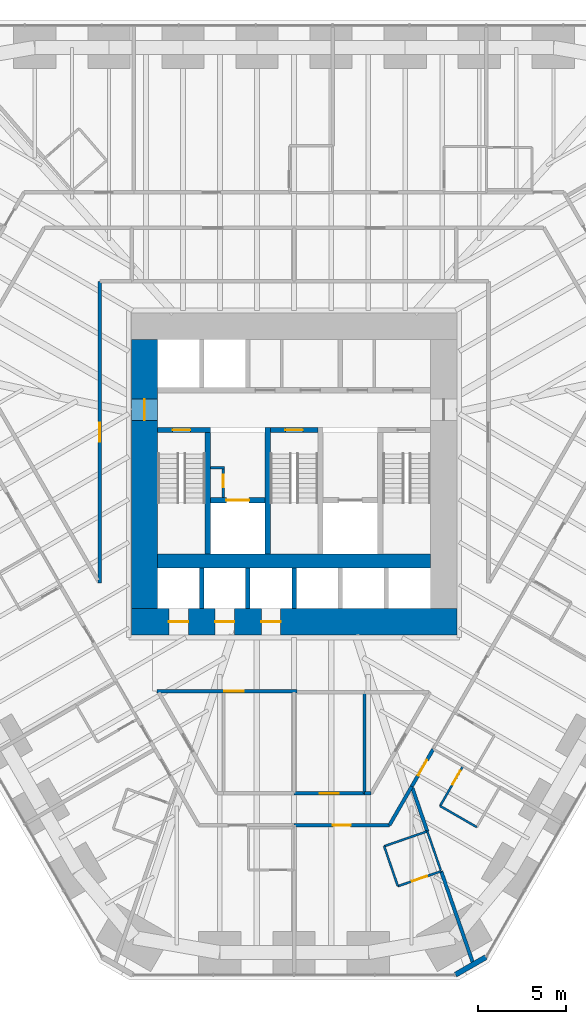
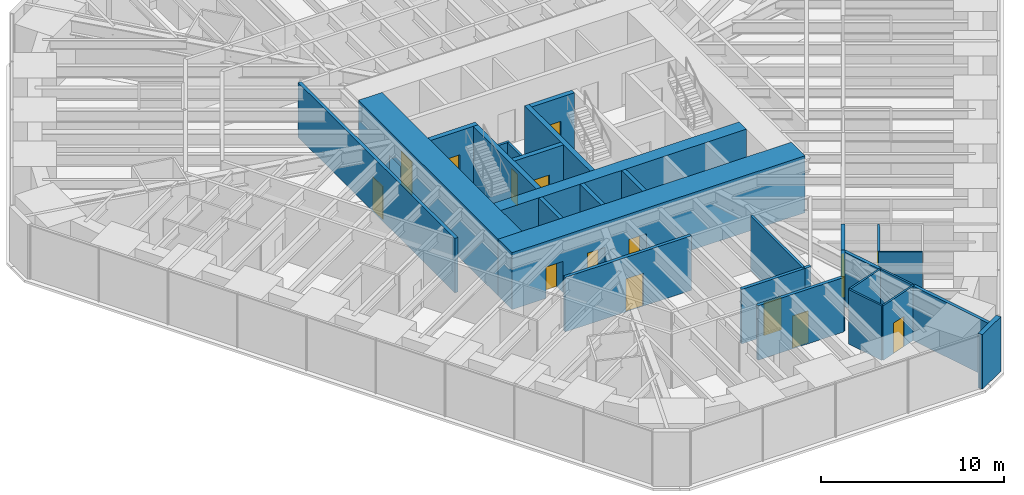
# One storey, part 12 of 17: 30 walls, 15 doors, 15 openings.
"""IFC4 building model written with IfcOpenShell, lengths in metres."""

from ifc_helpers import new_model, si_unit, direction, frame, frame_2d, origin, place, context, subcontext, project, spatial, rectangle, extrude, material, layer, layer_set, type_object, element, fill, save


model = new_model("IFC4")

# Units and contexts
model_context = context("Model", 3, precision=1e-05, world=origin(), true_north=direction((0.0, 1.0)))
body_context = subcontext(model_context, "Body", "Model", "MODEL_VIEW")
ifc_project = project(units=[si_unit("LENGTHUNIT", "METRE"), si_unit("AREAUNIT", "SQUARE_METRE"), si_unit("VOLUMEUNIT", "CUBIC_METRE"), si_unit("PLANEANGLEUNIT", "RADIAN"), si_unit("MASSUNIT", "GRAM", prefix="KILO")], contexts=[model_context])

# Site, building, storey
site_placement = place(None, origin())
site = spatial("IfcSite", under=ifc_project, at=site_placement, CompositionType="ELEMENT")
building_placement = place(site_placement, origin())
building = spatial("IfcBuilding", under=site, at=building_placement, Name="Sandreach Pilgrim Tower", CompositionType="ELEMENT")
storey_placement = place(building_placement, frame((0.0, 0.0, 53.39990234375)))
storey = spatial("IfcBuildingStorey", under=building, at=storey_placement, Name="L12", CompositionType="ELEMENT", Elevation=53.39990234375)

# Walls
ifc_material_1 = material(Name="Gypsum board on steel studs", Category="steel")
ifc_layer_1 = layer(ifc_material_1, 0.14990234375)
ifc_layer_set_1 = layer_set([ifc_layer_1], Name="Back of house wall 150")
wall_type_1 = type_object("IfcWallType", Name="Back of house wall 150", PredefinedType="PARTITIONING", material=ifc_layer_set_1)
wall_1_placement = place(storey_placement, frame((4.0, -13.949951171875, 0.0), z_axis=(0.0, 0.0, 1.0), x_axis=(0.0, -1.0, 0.0)))
element("IfcWall", 1, at=wall_1_placement, inside=storey, type_object=wall_type_1, Name="Back of house wall L12-089", PredefinedType="PARTITIONING", context=body_context, shape_type="SweptSolid", body=[
    extrude(rectangle(XDim=5.760009765625, YDim=0.14990234375, at=frame_2d((2.8798828125, 0.0))), origin(), (0.0, 0.0, 1.0), 3.64013671875),
])
ifc_material_2 = material(Name="Moisture-resistant gypsum board on steel studs", Category="steel")
ifc_layer_2 = layer(ifc_material_2, 0.1201171875)
ifc_layer_set_2 = layer_set([ifc_layer_2], Name="Bathroom partition 120")
wall_type_2 = type_object("IfcWallType", Name="Bathroom partition 120", PredefinedType="PARTITIONING", material=ifc_layer_set_2)
wall_2_placement = place(storey_placement, frame((5.1201171875, -22.7099609375, 0.0), z_axis=(0.0, 0.0, 1.0), x_axis=(0.324880771143, -0.945754981241, 0.0)))
element("IfcWall", 2, at=wall_2_placement, inside=storey, type_object=wall_type_2, Name="Bathroom partition L12-092", PredefinedType="PARTITIONING", context=body_context, shape_type="SweptSolid", body=[
    extrude(rectangle(XDim=2.400146484375, YDim=0.1201171875, at=frame_2d((1.2001953125, 0.0))), origin(), (0.0, 0.0, 1.0), 3.64013671875),
])

# Wall, opening, door
wall_3_placement = place(storey_placement, frame((5.89990234375, -24.97998046875, 0.0), z_axis=(0.0, 0.0, 1.0), x_axis=(0.945165466094, 0.326591857987, 0.0)))
wall_3 = element("IfcWall", 3, at=wall_3_placement, inside=storey, type_object=wall_type_2, Name="Bathroom partition L12-094", PredefinedType="PARTITIONING", context=body_context, shape_type="SweptSolid", body=[
    extrude(rectangle(XDim=2.60302734375, YDim=0.1201171875, at=frame_2d((1.301513671875, 0.0))), origin(), (0.0, 0.0, 1.0), 3.64013671875),
])
opening_1_placement = place(wall_3_placement, frame((0.85009765625, 0.0, 0.0)))
opening_1 = element("IfcOpeningElement", 4, at=opening_1_placement, cuts=wall_3, Name="Opening D09-12B", PredefinedType="OPENING", context=body_context, shape_type="SweptSolid", body=[
    extrude(rectangle(XDim=0.89990234375, YDim=2.030029296875, at=frame_2d((0.449951171875, 1.01513671875))), frame((0.0, 0.06005859375, 0.0), z_axis=(0.0, -1.0, 0.0), x_axis=(1.0, 0.0, 0.0)), (0.0, 0.0, 1.0), 0.1201171875),
])
ifc_material_3 = material(Name="Timber door, steel frame", Category="steel")
door_type_1 = type_object("IfcDoorType", Name="Bathroom door", OperationType="SINGLE_SWING_LEFT", PredefinedType="DOOR", material=ifc_material_3)
door_1_placement = place(opening_1_placement, origin())
door_1 = element("IfcDoor", 5, at=door_1_placement, inside=storey, type_object=door_type_1, Name="Door 1212B", OperationType="SINGLE_SWING_LEFT", OverallHeight=2.030029296875, OverallWidth=0.89990234375, PredefinedType="DOOR", context=body_context, shape_type="SweptSolid", body=[
    extrude(rectangle(XDim=0.89990234375, YDim=2.030029296875, at=frame_2d((0.449951171875, 1.01513671875))), frame((0.0, 0.02490234375, 0.0), z_axis=(0.0, -1.0, 0.0), x_axis=(1.0, 0.0, 0.0)), (0.0, 0.0, 1.0), 0.050048828125),
])
fill(opening_1, door_1)

# Walls
wall_4_placement = place(storey_placement, frame((7.570068359375, -21.860107421875, 0.0), z_axis=(0.0, 0.0, 1.0), x_axis=(-0.944782191137, -0.327698964463, 0.0)))
element("IfcWall", 6, at=wall_4_placement, inside=storey, type_object=wall_type_2, Name="Bathroom partition L12-097", PredefinedType="PARTITIONING", context=body_context, shape_type="SweptSolid", body=[
    extrude(rectangle(XDim=2.593505859375, YDim=0.1201171875, at=frame_2d((1.296875, 0.0))), origin(), (0.0, 0.0, 1.0), 3.64013671875),
])
wall_5_placement = place(storey_placement, frame((7.570068359375, -21.860107421875, 0.0), z_axis=(0.0, 0.0, 1.0), x_axis=(0.327706459026, -0.944779591605, 0.0)))
element("IfcWall", 7, at=wall_5_placement, inside=storey, type_object=wall_type_2, Name="Bathroom partition L12-098", PredefinedType="PARTITIONING", context=body_context, shape_type="SweptSolid", body=[
    extrude(rectangle(XDim=2.349609375, YDim=0.1201171875, at=frame_2d((1.1748046875, 0.0))), origin(), (0.0, 0.0, 1.0), 3.64013671875),
])
wall_6_placement = place(storey_placement, frame((8.300048828125, -20.419921875, 0.0), z_axis=(0.0, 0.0, 1.0), x_axis=(0.866177122335, -0.499737123639, 0.0)))
element("IfcWall", 8, at=wall_6_placement, inside=storey, type_object=wall_type_2, Name="Bathroom partition L12-102", PredefinedType="PARTITIONING", context=body_context, shape_type="SweptSolid", body=[
    extrude(rectangle(XDim=2.401123046875, YDim=0.1201171875, at=frame_2d((1.20068359375, 0.0))), origin(), (0.0, 0.0, 1.0), 3.64013671875),
])

# Wall, opening, door
wall_7_placement = place(storey_placement, frame((9.60009765625, -18.159912109375, 0.0), z_axis=(0.0, 0.0, 1.0), x_axis=(-0.498627694264, -0.866816256489, 0.0)))
wall_7 = element("IfcWall", 9, at=wall_7_placement, inside=storey, type_object=wall_type_2, Name="Bathroom partition L12-110", PredefinedType="PARTITIONING", context=body_context, shape_type="SweptSolid", body=[
    extrude(rectangle(XDim=2.607177734375, YDim=0.1201171875, at=frame_2d((1.3037109375, 0.0))), origin(), (0.0, 0.0, 1.0), 3.64013671875),
])
opening_2_placement = place(wall_7_placement, frame((0.300048828125, 0.0, 0.0)))
opening_2 = element("IfcOpeningElement", 10, at=opening_2_placement, cuts=wall_7, Name="Opening D09-11B", PredefinedType="OPENING", context=body_context, shape_type="SweptSolid", body=[
    extrude(rectangle(XDim=0.89990234375, YDim=2.030029296875, at=frame_2d((0.449951171875, 1.01513671875))), frame((0.0, 0.06005859375, 0.0), z_axis=(0.0, -1.0, 0.0), x_axis=(1.0, 0.0, 0.0)), (0.0, 0.0, 1.0), 0.1201171875),
])
door_2_placement = place(opening_2_placement, origin())
door_2 = element("IfcDoor", 11, at=door_2_placement, inside=storey, type_object=door_type_1, Name="Door 1211B", OperationType="SINGLE_SWING_LEFT", OverallHeight=2.030029296875, OverallWidth=0.89990234375, PredefinedType="DOOR", context=body_context, shape_type="SweptSolid", body=[
    extrude(rectangle(XDim=0.89990234375, YDim=2.030029296875, at=frame_2d((0.449951171875, 1.01513671875))), frame((0.0, 0.02490234375, 0.0), z_axis=(0.0, -1.0, 0.0), x_axis=(1.0, 0.0, 0.0)), (0.0, 0.0, 1.0), 0.050048828125),
])
fill(opening_2, door_2)

# Walls
ifc_material_4 = material(Name="Concrete 10000 psi", Category="concrete")
ifc_layer_3 = layer(ifc_material_4, 0.300048828125)
ifc_layer_set_3 = layer_set([ifc_layer_3], Name="Core inner wall 300")
wall_type_3 = type_object("IfcWallType", Name="Core inner wall 300", PredefinedType="SHEAR", material=ifc_layer_set_3)
for number, where, z_axis, x_axis, name in (
    (12, (-4.89990234375, -6.10009765625, 0.0), (0.0, 0.0, 1.0), (0.0, 1.0, 0.0), "Core wall I0 L12"),
    (13, (-1.5, -6.10009765625, 0.0), (0.0, 0.0, 1.0), (0.0, 1.0, 0.0), "Core wall I1 L12"),
):
    element("IfcWall", number, at=place(storey_placement, frame(where, z_axis=z_axis, x_axis=x_axis)), inside=storey, type_object=wall_type_3, Name=name, PredefinedType="SHEAR", context=body_context, shape_type="SweptSolid", body=[
        extrude(rectangle(XDim=7.2001953125, YDim=0.300048828125, at=frame_2d((3.60009765625, 0.0))), origin(), (0.0, 0.0, 1.0), 3.800048828125),
    ])

# Wall, opening, door
wall_8_placement = place(storey_placement, frame((-7.75, 0.949951171875, 0.0), z_axis=(0.0, 0.0, 1.0), x_axis=(1.0, 0.0, 0.0)))
wall_8 = element("IfcWall", 14, at=wall_8_placement, inside=storey, type_object=wall_type_3, Name="Core wall SN1 L12", PredefinedType="SHEAR", context=body_context, shape_type="SweptSolid", body=[
    extrude(rectangle(XDim=3.0, YDim=0.300048828125, at=frame_2d((1.5, 0.0))), origin(), (0.0, 0.0, 1.0), 3.800048828125),
])
opening_3_placement = place(wall_8_placement, frame((0.85009765625, 0.0, 0.0)))
opening_3 = element("IfcOpeningElement", 15, at=opening_3_placement, cuts=wall_8, Name="Opening D10S-ST1", PredefinedType="OPENING", context=body_context, shape_type="SweptSolid", body=[
    extrude(rectangle(XDim=1.0, YDim=2.199951171875, at=frame_2d((0.5, 1.10009765625))), frame((0.0, 0.14990234375, 0.0), z_axis=(0.0, -1.0, 0.0), x_axis=(1.0, 0.0, 0.0)), (0.0, 0.0, 1.0), 0.300048828125),
])
ifc_material_5 = material(Name="Steel door and frame", Category="steel")
door_type_2 = type_object("IfcDoorType", Name="Stair door", OperationType="SINGLE_SWING_LEFT", PredefinedType="DOOR", material=ifc_material_5)
door_3_placement = place(opening_3_placement, origin())
door_3 = element("IfcDoor", 16, at=door_3_placement, inside=storey, type_object=door_type_2, Name="Stair door ST1 L12", OperationType="SINGLE_SWING_LEFT", OverallHeight=2.199951171875, OverallWidth=1.0, PredefinedType="DOOR", context=body_context, shape_type="SweptSolid", body=[
    extrude(rectangle(XDim=1.0, YDim=2.199951171875, at=frame_2d((0.5, 1.10009765625))), frame((0.0, 0.02490234375, 0.0), z_axis=(0.0, -1.0, 0.0), x_axis=(1.0, 0.0, 0.0)), (0.0, 0.0, 1.0), 0.050048828125),
])
fill(opening_3, door_3)

wall_9_placement = place(storey_placement, frame((-1.35009765625, 0.949951171875, 0.0), z_axis=(0.0, 0.0, 1.0), x_axis=(1.0, 0.0, 0.0)))
wall_9 = element("IfcWall", 17, at=wall_9_placement, inside=storey, type_object=wall_type_3, Name="Core wall SN3 L12", PredefinedType="SHEAR", context=body_context, shape_type="SweptSolid", body=[
    extrude(rectangle(XDim=2.7001953125, YDim=0.300048828125, at=frame_2d((1.35009765625, 0.0))), origin(), (0.0, 0.0, 1.0), 3.800048828125),
])
opening_4_placement = place(wall_9_placement, frame((0.85009765625, 0.0, 0.0)))
opening_4 = element("IfcOpeningElement", 18, at=opening_4_placement, cuts=wall_9, Name="Opening D10S-ST3", PredefinedType="OPENING", context=body_context, shape_type="SweptSolid", body=[
    extrude(rectangle(XDim=1.0, YDim=2.199951171875, at=frame_2d((0.5, 1.10009765625))), frame((0.0, 0.14990234375, 0.0), z_axis=(0.0, -1.0, 0.0), x_axis=(1.0, 0.0, 0.0)), (0.0, 0.0, 1.0), 0.300048828125),
])
door_4_placement = place(opening_4_placement, origin())
door_4 = element("IfcDoor", 19, at=door_4_placement, inside=storey, type_object=door_type_2, Name="Stair door ST3 L12", OperationType="SINGLE_SWING_LEFT", OverallHeight=2.199951171875, OverallWidth=1.0, PredefinedType="DOOR", context=body_context, shape_type="SweptSolid", body=[
    extrude(rectangle(XDim=1.0, YDim=2.199951171875, at=frame_2d((0.5, 1.10009765625))), frame((0.0, 0.02490234375, 0.0), z_axis=(0.0, -1.0, 0.0), x_axis=(1.0, 0.0, 0.0)), (0.0, 0.0, 1.0), 0.050048828125),
])
fill(opening_4, door_4)

wall_10_placement = place(storey_placement, frame((-4.75, -3.050048828125, 0.0), z_axis=(0.0, 0.0, 1.0), x_axis=(1.0, 0.0, 0.0)))
wall_10 = element("IfcWall", 20, at=wall_10_placement, inside=storey, type_object=wall_type_3, Name="Core wall FL1 L12", PredefinedType="SHEAR", context=body_context, shape_type="SweptSolid", body=[
    extrude(rectangle(XDim=3.10009765625, YDim=0.300048828125, at=frame_2d((1.550048828125, 0.0))), origin(), (0.0, 0.0, 1.0), 3.800048828125),
])
opening_5_placement = place(wall_10_placement, frame((0.89990234375, 0.0, 0.0)))
opening_5 = element("IfcOpeningElement", 21, at=opening_5_placement, cuts=wall_10, Name="Opening LD13", PredefinedType="OPENING", context=body_context, shape_type="SweptSolid", body=[
    extrude(rectangle(XDim=1.300048828125, YDim=2.10009765625, at=frame_2d((0.64990234375, 1.050048828125))), frame((0.0, 0.14990234375, 0.0), z_axis=(0.0, -1.0, 0.0), x_axis=(1.0, 0.0, 0.0)), (0.0, 0.0, 1.0), 0.300048828125),
])
ifc_material_6 = material(Name="Steel door and frame", Category="steel")
door_type_3 = type_object("IfcDoorType", Name="Fire service lift landing door", OperationType="DOUBLE_DOOR_SLIDING", PredefinedType="DOOR", material=ifc_material_6)
door_5_placement = place(opening_5_placement, origin())
door_5 = element("IfcDoor", 22, at=door_5_placement, inside=storey, type_object=door_type_3, Name="Lift landing door FS1 L12", OperationType="DOUBLE_DOOR_SLIDING", OverallHeight=2.10009765625, OverallWidth=1.300048828125, PredefinedType="DOOR", context=body_context, shape_type="SweptSolid", body=[
    extrude(rectangle(XDim=1.300048828125, YDim=2.10009765625, at=frame_2d((0.64990234375, 1.050048828125))), frame((0.0, 0.02490234375, 0.0), z_axis=(0.0, -1.0, 0.0), x_axis=(1.0, 0.0, 0.0)), (0.0, 0.0, 1.0), 0.050048828125),
])
fill(opening_5, door_5)

# Wall
ifc_material_7 = material(Name="Concrete 10000 psi", Category="concrete")
ifc_layer_4 = layer(ifc_material_7, 0.800048828125)
ifc_layer_set_4 = layer_set([ifc_layer_4], Name="Core mid wall 800")
wall_type_4 = type_object("IfcWallType", Name="Core mid wall 800", PredefinedType="SHEAR", material=ifc_layer_set_4)
wall_11_placement = place(storey_placement, frame((-7.75, -6.5, 0.0), z_axis=(0.0, 0.0, 1.0), x_axis=(1.0, 0.0, 0.0)))
element("IfcWall", 23, at=wall_11_placement, inside=storey, type_object=wall_type_4, Name="Core wall M L12", PredefinedType="SHEAR", context=body_context, shape_type="SweptSolid", body=[
    extrude(rectangle(XDim=15.5, YDim=0.800048828125, at=frame_2d((7.75, 0.0))), origin(), (0.0, 0.0, 1.0), 3.800048828125),
])

# Wall, openings, doors
ifc_material_8 = material(Name="Concrete 10000 psi", Category="concrete")
ifc_layer_5 = layer(ifc_material_8, 1.5)
ifc_layer_set_5 = layer_set([ifc_layer_5], Name="Core wall 1500")
wall_type_5 = type_object("IfcWallType", Name="Core wall 1500", PredefinedType="SHEAR", material=ifc_layer_set_5)
wall_12_placement = place(storey_placement, frame((-9.25, -9.949951171875, 0.0), z_axis=(0.0, 0.0, 1.0), x_axis=(1.0, 0.0, 0.0)))
wall_12 = element("IfcWall", 24, at=wall_12_placement, inside=storey, type_object=wall_type_5, Name="Core wall S L12", PredefinedType="SHEAR", context=body_context, shape_type="SweptSolid", body=[
    extrude(rectangle(XDim=18.5, YDim=1.5, at=frame_2d((9.25, 0.0))), origin(), (0.0, 0.0, 1.0), 3.800048828125),
])
opening_6_placement = place(wall_12_placement, frame((2.137451171875, 0.0, 0.0)))
opening_6 = element("IfcOpeningElement", 25, at=opening_6_placement, cuts=wall_12, Name="Opening LD11", PredefinedType="OPENING", context=body_context, shape_type="SweptSolid", body=[
    extrude(rectangle(XDim=1.10009765625, YDim=2.10009765625, at=frame_2d((0.550048828125, 1.050048828125))), frame((0.0, 0.75, 0.0), z_axis=(0.0, -1.0, 0.0), x_axis=(1.0, 0.0, 0.0)), (0.0, 0.0, 1.0), 1.5),
])
opening_7_placement = place(wall_12_placement, frame((4.762451171875, 0.0, 0.0)))
opening_7 = element("IfcOpeningElement", 26, at=opening_7_placement, cuts=wall_12, Name="Opening LD11", PredefinedType="OPENING", context=body_context, shape_type="SweptSolid", body=[
    extrude(rectangle(XDim=1.10009765625, YDim=2.10009765625, at=frame_2d((0.550048828125, 1.050048828125))), frame((0.0, 0.75, 0.0), z_axis=(0.0, -1.0, 0.0), x_axis=(1.0, 0.0, 0.0)), (0.0, 0.0, 1.0), 1.5),
])
opening_8_placement = place(wall_12_placement, frame((7.387451171875, 0.0, 0.0)))
opening_8 = element("IfcOpeningElement", 27, at=opening_8_placement, cuts=wall_12, Name="Opening LD11", PredefinedType="OPENING", context=body_context, shape_type="SweptSolid", body=[
    extrude(rectangle(XDim=1.10009765625, YDim=2.10009765625, at=frame_2d((0.550048828125, 1.050048828125))), frame((0.0, 0.75, 0.0), z_axis=(0.0, -1.0, 0.0), x_axis=(1.0, 0.0, 0.0)), (0.0, 0.0, 1.0), 1.5),
])
ifc_material_9 = material(Name="Steel door and frame", Category="steel")
door_type_4 = type_object("IfcDoorType", Name="Lift landing door", OperationType="DOUBLE_DOOR_SLIDING", PredefinedType="DOOR", material=ifc_material_9)
door_6_placement = place(opening_6_placement, origin())
door_6 = element("IfcDoor", 28, at=door_6_placement, inside=storey, type_object=door_type_4, Name="Lift landing door Z1A L12", OperationType="DOUBLE_DOOR_SLIDING", OverallHeight=2.10009765625, OverallWidth=1.10009765625, PredefinedType="DOOR", context=body_context, shape_type="SweptSolid", body=[
    extrude(rectangle(XDim=1.10009765625, YDim=2.10009765625, at=frame_2d((0.550048828125, 1.050048828125))), frame((0.0, 0.02490234375, 0.0), z_axis=(0.0, -1.0, 0.0), x_axis=(1.0, 0.0, 0.0)), (0.0, 0.0, 1.0), 0.050048828125),
])
fill(opening_6, door_6)
door_7_placement = place(opening_7_placement, origin())
door_7 = element("IfcDoor", 29, at=door_7_placement, inside=storey, type_object=door_type_4, Name="Lift landing door Z1B L12", OperationType="DOUBLE_DOOR_SLIDING", OverallHeight=2.10009765625, OverallWidth=1.10009765625, PredefinedType="DOOR", context=body_context, shape_type="SweptSolid", body=[
    extrude(rectangle(XDim=1.10009765625, YDim=2.10009765625, at=frame_2d((0.550048828125, 1.050048828125))), frame((0.0, 0.02490234375, 0.0), z_axis=(0.0, -1.0, 0.0), x_axis=(1.0, 0.0, 0.0)), (0.0, 0.0, 1.0), 0.050048828125),
])
fill(opening_7, door_7)
door_8_placement = place(opening_8_placement, origin())
door_8 = element("IfcDoor", 30, at=door_8_placement, inside=storey, type_object=door_type_4, Name="Lift landing door Z1C L12", OperationType="DOUBLE_DOOR_SLIDING", OverallHeight=2.10009765625, OverallWidth=1.10009765625, PredefinedType="DOOR", context=body_context, shape_type="SweptSolid", body=[
    extrude(rectangle(XDim=1.10009765625, YDim=2.10009765625, at=frame_2d((0.550048828125, 1.050048828125))), frame((0.0, 0.02490234375, 0.0), z_axis=(0.0, -1.0, 0.0), x_axis=(1.0, 0.0, 0.0)), (0.0, 0.0, 1.0), 0.050048828125),
])
fill(opening_8, door_8)

# Wall, opening, door
wall_13_placement = place(storey_placement, frame((-8.5, -9.199951171875, 0.0), z_axis=(0.0, 0.0, 1.0), x_axis=(0.0, 1.0, 0.0)))
wall_13 = element("IfcWall", 31, at=wall_13_placement, inside=storey, type_object=wall_type_5, Name="Core wall W L12", PredefinedType="SHEAR", context=body_context, shape_type="SweptSolid", body=[
    extrude(rectangle(XDim=15.300048828125, YDim=1.5, at=frame_2d((7.64990234375, 0.0))), origin(), (0.0, 0.0, 1.0), 3.800048828125),
])
opening_9_placement = place(wall_13_placement, frame((10.699951171875, 0.0, 0.0)))
opening_9 = element("IfcOpeningElement", 32, at=opening_9_placement, cuts=wall_13, Name="Opening D12F-W", PredefinedType="OPENING", context=body_context, shape_type="SweptSolid", body=[
    extrude(rectangle(XDim=1.199951171875, YDim=2.199951171875, at=frame_2d((0.60009765625, 1.10009765625))), frame((0.0, 0.75, 0.0), z_axis=(0.0, -1.0, 0.0), x_axis=(1.0, 0.0, 0.0)), (0.0, 0.0, 1.0), 1.5),
])
ifc_material_10 = material(Name="Steel door and frame", Category="steel")
door_type_5 = type_object("IfcDoorType", Name="Fire lobby door", OperationType="SINGLE_SWING_LEFT", PredefinedType="DOOR", material=ifc_material_10)
door_9_placement = place(opening_9_placement, origin())
door_9 = element("IfcDoor", 33, at=door_9_placement, inside=storey, type_object=door_type_5, Name="Fire service lobby door W L12", OperationType="SINGLE_SWING_RIGHT", OverallHeight=2.199951171875, OverallWidth=1.199951171875, PredefinedType="DOOR", context=body_context, shape_type="SweptSolid", body=[
    extrude(rectangle(XDim=1.199951171875, YDim=2.199951171875, at=frame_2d((0.60009765625, 1.10009765625))), frame((0.0, 0.02490234375, 0.0), z_axis=(0.0, -1.0, 0.0), x_axis=(1.0, 0.0, 0.0)), (0.0, 0.0, 1.0), 0.050048828125),
])
fill(opening_9, door_9)

ifc_material_11 = material(Name="Gypsum board on steel studs, two layers each side", Category="steel")
ifc_layer_6 = layer(ifc_material_11, 0.199951171875)
ifc_layer_set_6 = layer_set([ifc_layer_6], Name="Corridor wall 200")
wall_type_6 = type_object("IfcWallType", Name="Corridor wall 200", PredefinedType="PARTITIONING", material=ifc_layer_set_6)
wall_14_placement = place(storey_placement, frame((-11.050048828125, 9.39990234375, 0.0), z_axis=(0.0, 0.0, 1.0), x_axis=(0.0, -1.0, 0.0)))
wall_14 = element("IfcWall", 34, at=wall_14_placement, inside=storey, type_object=wall_type_6, Name="Corridor wall L12-047", PredefinedType="PARTITIONING", context=body_context, shape_type="SweptSolid", body=[
    extrude(rectangle(XDim=17.159912109375, YDim=0.199951171875, at=frame_2d((8.580078125, 0.0))), origin(), (0.0, 0.0, 1.0), 3.64013671875),
])
opening_10_placement = place(wall_14_placement, frame((8.030029296875, 0.0, 0.0)))
opening_10 = element("IfcOpeningElement", 35, at=opening_10_placement, cuts=wall_14, Name="Opening D11H-M01", PredefinedType="OPENING", context=body_context, shape_type="SweptSolid", body=[
    extrude(rectangle(XDim=1.10009765625, YDim=2.199951171875, at=frame_2d((0.550048828125, 1.10009765625))), frame((0.0, 0.10009765625, 0.0), z_axis=(0.0, -1.0, 0.0), x_axis=(1.0, 0.0, 0.0)), (0.0, 0.0, 1.0), 0.199951171875),
])
ifc_material_12 = material(Name="Steel door and frame", Category="steel")
door_type_6 = type_object("IfcDoorType", Name="Back of house door", OperationType="SINGLE_SWING_LEFT", PredefinedType="DOOR", material=ifc_material_12)
door_10_placement = place(opening_10_placement, origin())
door_10 = element("IfcDoor", 36, at=door_10_placement, inside=storey, type_object=door_type_6, Name="Door 12M01", OperationType="SINGLE_SWING_LEFT", OverallHeight=2.199951171875, OverallWidth=1.10009765625, PredefinedType="DOOR", context=body_context, shape_type="SweptSolid", body=[
    extrude(rectangle(XDim=1.10009765625, YDim=2.199951171875, at=frame_2d((0.550048828125, 1.10009765625))), frame((0.0, 0.02490234375, 0.0), z_axis=(0.0, -1.0, 0.0), x_axis=(1.0, 0.0, 0.0)), (0.0, 0.0, 1.0), 0.050048828125),
])
fill(opening_10, door_10)

wall_15_placement = place(storey_placement, frame((0.0, -21.510009765625, 0.0), z_axis=(0.0, 0.0, 1.0), x_axis=(1.0, 0.0, 0.0)))
wall_15 = element("IfcWall", 37, at=wall_15_placement, inside=storey, type_object=wall_type_6, Name="Corridor wall L12-076", PredefinedType="PARTITIONING", context=body_context, shape_type="SweptSolid", body=[
    extrude(rectangle(XDim=5.419921875, YDim=0.199951171875, at=frame_2d((2.7099609375, 0.0))), origin(), (0.0, 0.0, 1.0), 3.64013671875),
])
opening_11_placement = place(wall_15_placement, frame((2.2099609375, 0.0, 0.0)))
opening_11 = element("IfcOpeningElement", 38, at=opening_11_placement, cuts=wall_15, Name="Opening D10-12", PredefinedType="OPENING", context=body_context, shape_type="SweptSolid", body=[
    extrude(rectangle(XDim=1.0, YDim=2.1298828125, at=frame_2d((0.5, 1.06494140625))), frame((0.0, 0.10009765625, 0.0), z_axis=(0.0, -1.0, 0.0), x_axis=(1.0, 0.0, 0.0)), (0.0, 0.0, 1.0), 0.199951171875),
])
ifc_material_13 = material(Name="Steel door and frame", Category="steel")
door_type_7 = type_object("IfcDoorType", Name="Guest room entry door", OperationType="SINGLE_SWING_LEFT", PredefinedType="DOOR", material=ifc_material_13)
door_11_placement = place(opening_11_placement, origin())
door_11 = element("IfcDoor", 39, at=door_11_placement, inside=storey, type_object=door_type_7, Name="Door 1212", OperationType="SINGLE_SWING_LEFT", OverallHeight=2.1298828125, OverallWidth=1.0, PredefinedType="DOOR", context=body_context, shape_type="SweptSolid", body=[
    extrude(rectangle(XDim=1.0, YDim=2.1298828125, at=frame_2d((0.5, 1.06494140625))), frame((0.0, 0.02490234375, 0.0), z_axis=(0.0, -1.0, 0.0), x_axis=(1.0, 0.0, 0.0)), (0.0, 0.0, 1.0), 0.050048828125),
])
fill(opening_11, door_11)

wall_16_placement = place(storey_placement, frame((0.179931640625, -13.89990234375, 0.0), z_axis=(0.0, 0.0, 1.0), x_axis=(-1.0, 0.0, 0.0)))
wall_16 = element("IfcWall", 40, at=wall_16_placement, inside=storey, type_object=wall_type_6, Name="Corridor wall L12-083", PredefinedType="PARTITIONING", context=body_context, shape_type="SweptSolid", body=[
    extrude(rectangle(XDim=7.969970703125, YDim=0.199951171875, at=frame_2d((3.98486328125, 0.0))), origin(), (0.0, 0.0, 1.0), 3.64013671875),
])
opening_12_placement = place(wall_16_placement, frame((3.034912109375, 0.0, 0.0)))
opening_12 = element("IfcOpeningElement", 41, at=opening_12_placement, cuts=wall_16, Name="Opening D11H-S2", PredefinedType="OPENING", context=body_context, shape_type="SweptSolid", body=[
    extrude(rectangle(XDim=1.10009765625, YDim=2.199951171875, at=frame_2d((0.550048828125, 1.10009765625))), frame((0.0, 0.10009765625, 0.0), z_axis=(0.0, -1.0, 0.0), x_axis=(1.0, 0.0, 0.0)), (0.0, 0.0, 1.0), 0.199951171875),
])
door_12_placement = place(opening_12_placement, origin())
door_12 = element("IfcDoor", 42, at=door_12_placement, inside=storey, type_object=door_type_6, Name="Door 12S2", OperationType="SINGLE_SWING_LEFT", OverallHeight=2.199951171875, OverallWidth=1.10009765625, PredefinedType="DOOR", context=body_context, shape_type="SweptSolid", body=[
    extrude(rectangle(XDim=1.10009765625, YDim=2.199951171875, at=frame_2d((0.550048828125, 1.10009765625))), frame((0.0, 0.02490234375, 0.0), z_axis=(0.0, -1.0, 0.0), x_axis=(1.0, 0.0, 0.0)), (0.0, 0.0, 1.0), 0.050048828125),
])
fill(opening_12, door_12)

wall_17_placement = place(storey_placement, frame((4.0, -19.7099609375, 0.0), z_axis=(0.0, 0.0, 1.0), x_axis=(-1.0, 0.0, 0.0)))
wall_17 = element("IfcWall", 43, at=wall_17_placement, inside=storey, type_object=wall_type_6, Name="Corridor wall L12-088", PredefinedType="PARTITIONING", context=body_context, shape_type="SweptSolid", body=[
    extrude(rectangle(XDim=4.0, YDim=0.199951171875, at=frame_2d((2.0, 0.0))), origin(), (0.0, 0.0, 1.0), 3.64013671875),
])
opening_13_placement = place(wall_17_placement, frame((1.449951171875, 0.0, 0.0)))
opening_13 = element("IfcOpeningElement", 44, at=opening_13_placement, cuts=wall_17, Name="Opening D11H-S3", PredefinedType="OPENING", context=body_context, shape_type="SweptSolid", body=[
    extrude(rectangle(XDim=1.10009765625, YDim=2.199951171875, at=frame_2d((0.550048828125, 1.10009765625))), frame((0.0, 0.10009765625, 0.0), z_axis=(0.0, -1.0, 0.0), x_axis=(1.0, 0.0, 0.0)), (0.0, 0.0, 1.0), 0.199951171875),
])
door_13_placement = place(opening_13_placement, origin())
door_13 = element("IfcDoor", 45, at=door_13_placement, inside=storey, type_object=door_type_6, Name="Door 12S3", OperationType="SINGLE_SWING_LEFT", OverallHeight=2.199951171875, OverallWidth=1.10009765625, PredefinedType="DOOR", context=body_context, shape_type="SweptSolid", body=[
    extrude(rectangle(XDim=1.10009765625, YDim=2.199951171875, at=frame_2d((0.550048828125, 1.10009765625))), frame((0.0, 0.02490234375, 0.0), z_axis=(0.0, -1.0, 0.0), x_axis=(1.0, 0.0, 0.0)), (0.0, 0.0, 1.0), 0.050048828125),
])
fill(opening_13, door_13)

# Walls
wall_18_placement = place(storey_placement, frame((4.3798828125, -19.7099609375, 0.0), z_axis=(0.0, 0.0, 1.0), x_axis=(-1.0, 0.0, 0.0)))
element("IfcWall", 46, at=wall_18_placement, inside=storey, type_object=wall_type_6, Name="Corridor wall L12-091", PredefinedType="PARTITIONING", context=body_context, shape_type="SweptSolid", body=[
    extrude(rectangle(XDim=0.3798828125, YDim=0.199951171875, at=frame_2d((0.18994140625, 0.0))), origin(), (0.0, 0.0, 1.0), 3.64013671875),
])
wall_19_placement = place(storey_placement, frame((5.419921875, -21.510009765625, 0.0), z_axis=(0.0, 0.0, 1.0), x_axis=(0.499963722229, 0.866046347752, 0.0)))
element("IfcWall", 47, at=wall_19_placement, inside=storey, type_object=wall_type_6, Name="Corridor wall L12-093", PredefinedType="PARTITIONING", context=body_context, shape_type="SweptSolid", body=[
    extrude(rectangle(XDim=2.540283203125, YDim=0.199951171875, at=frame_2d((1.27001953125, 0.0))), origin(), (0.0, 0.0, 1.0), 3.64013671875),
])

# Wall, opening, door
wall_20_placement = place(storey_placement, frame((6.68994140625, -19.31005859375, 0.0), z_axis=(0.0, 0.0, 1.0), x_axis=(0.498748634132, 0.866746675766, 0.0)))
wall_20 = element("IfcWall", 48, at=wall_20_placement, inside=storey, type_object=wall_type_6, Name="Corridor wall L12-095", PredefinedType="PARTITIONING", context=body_context, shape_type="SweptSolid", body=[
    extrude(rectangle(XDim=2.446044921875, YDim=0.199951171875, at=frame_2d((1.22314453125, 0.0))), origin(), (0.0, 0.0, 1.0), 3.64013671875),
])
opening_14_placement = place(wall_20_placement, frame((0.722900390625, 0.0, 0.0)))
opening_14 = element("IfcOpeningElement", 49, at=opening_14_placement, cuts=wall_20, Name="Opening D10-11", PredefinedType="OPENING", context=body_context, shape_type="SweptSolid", body=[
    extrude(rectangle(XDim=1.0, YDim=2.1298828125, at=frame_2d((0.5, 1.06494140625))), frame((0.0, 0.10009765625, 0.0), z_axis=(0.0, -1.0, 0.0), x_axis=(1.0, 0.0, 0.0)), (0.0, 0.0, 1.0), 0.199951171875),
])
door_14_placement = place(opening_14_placement, origin())
door_14 = element("IfcDoor", 50, at=door_14_placement, inside=storey, type_object=door_type_7, Name="Door 1211", OperationType="SINGLE_SWING_LEFT", OverallHeight=2.1298828125, OverallWidth=1.0, PredefinedType="DOOR", context=body_context, shape_type="SweptSolid", body=[
    extrude(rectangle(XDim=1.0, YDim=2.1298828125, at=frame_2d((0.5, 1.06494140625))), frame((0.0, 0.02490234375, 0.0), z_axis=(0.0, -1.0, 0.0), x_axis=(1.0, 0.0, 0.0)), (0.0, 0.0, 1.0), 0.050048828125),
])
fill(opening_14, door_14)

# Walls
ifc_material_14 = material(Name="Double steel stud acoustic wall, gypsum board", Category="steel")
ifc_layer_7 = layer(ifc_material_14, 0.199951171875)
ifc_layer_set_7 = layer_set([ifc_layer_7], Name="Party wall 200")
wall_type_7 = type_object("IfcWallType", Name="Party wall 200", PredefinedType="PARTITIONING", material=ifc_layer_set_7)
wall_21_placement = place(storey_placement, frame((6.724365234375, -19.4091796875, 0.0), z_axis=(0.0, 0.0, 1.0), x_axis=(0.326182205696, -0.945306917719, 0.0)))
element("IfcWall", 51, at=wall_21_placement, inside=storey, type_object=wall_type_7, Name="Party wall L12-096", PredefinedType="PARTITIONING", context=body_context, shape_type="SweptSolid", body=[
    extrude(rectangle(XDim=2.5927734375, YDim=0.199951171875, at=frame_2d((1.29638671875, 0.0))), origin(), (0.0, 0.0, 1.0), 3.64013671875),
])
wall_22_placement = place(storey_placement, frame((8.360107421875, -24.1298828125, 0.0), z_axis=(0.0, 0.0, 1.0), x_axis=(0.327332811485, -0.944909112309, 0.0)))
element("IfcWall", 52, at=wall_22_placement, inside=storey, type_object=wall_type_7, Name="Party wall L12-103", PredefinedType="PARTITIONING", context=body_context, shape_type="SweptSolid", body=[
    extrude(rectangle(XDim=5.621337890625, YDim=0.199951171875, at=frame_2d((2.810546875, 0.0))), origin(), (0.0, 0.0, 1.0), 3.64013671875),
])

# Wall, opening, door
ifc_material_15 = material(Name="Gypsum shaft wall on steel studs, shaft liner board", Category="steel")
ifc_layer_8 = layer(ifc_material_15, 0.14990234375)
ifc_layer_set_8 = layer_set([ifc_layer_8], Name="Riser shaft wall 150")
wall_type_8 = type_object("IfcWallType", Name="Riser shaft wall 150", PredefinedType="PARTITIONING", material=ifc_layer_set_8)
wall_23_placement = place(storey_placement, frame((-4.02490234375, -2.89990234375, 0.0), z_axis=(0.0, 0.0, 1.0), x_axis=(0.0, 1.0, 0.0)))
wall_23 = element("IfcWall", 53, at=wall_23_placement, inside=storey, type_object=wall_type_8, Name="Riser partition L12 side", PredefinedType="PARTITIONING", context=body_context, shape_type="SweptSolid", body=[
    extrude(rectangle(XDim=1.77490234375, YDim=0.14990234375, at=frame_2d((0.887451171875, 0.0))), origin(), (0.0, 0.0, 1.0), 3.64013671875),
])
opening_15_placement = place(wall_23_placement, frame((0.60009765625, 0.0, 0.0)))
opening_15 = element("IfcOpeningElement", 54, at=opening_15_placement, cuts=wall_23, Name="Opening D07R", PredefinedType="OPENING", context=body_context, shape_type="SweptSolid", body=[
    extrude(rectangle(XDim=0.699951171875, YDim=2.10009765625, at=frame_2d((0.35009765625, 1.050048828125))), frame((0.0, 0.074951171875, 0.0), z_axis=(0.0, -1.0, 0.0), x_axis=(1.0, 0.0, 0.0)), (0.0, 0.0, 1.0), 0.14990234375),
])
ifc_material_16 = material(Name="Steel door and frame, smoke seals", Category="steel")
door_type_8 = type_object("IfcDoorType", Name="Riser access door", OperationType="SINGLE_SWING_RIGHT", PredefinedType="DOOR", material=ifc_material_16)
door_15_placement = place(opening_15_placement, origin())
door_15 = element("IfcDoor", 55, at=door_15_placement, inside=storey, type_object=door_type_8, Name="Door riser 12ER", OperationType="SINGLE_SWING_RIGHT", OverallHeight=2.10009765625, OverallWidth=0.699951171875, PredefinedType="DOOR", context=body_context, shape_type="SweptSolid", body=[
    extrude(rectangle(XDim=0.699951171875, YDim=2.10009765625, at=frame_2d((0.35009765625, 1.050048828125))), frame((0.0, 0.02490234375, 0.0), z_axis=(0.0, -1.0, 0.0), x_axis=(1.0, 0.0, 0.0)), (0.0, 0.0, 1.0), 0.050048828125),
])
fill(opening_15, door_15)

# Walls
wall_24_placement = place(storey_placement, frame((-4.75, -1.199951171875, 0.0), z_axis=(0.0, 0.0, 1.0), x_axis=(1.0, 0.0, 0.0)))
element("IfcWall", 56, at=wall_24_placement, inside=storey, type_object=wall_type_8, Name="Riser partition L12 front", PredefinedType="PARTITIONING", context=body_context, shape_type="SweptSolid", body=[
    extrude(rectangle(XDim=0.800048828125, YDim=0.14990234375, at=frame_2d((0.39990234375, 0.0))), origin(), (0.0, 0.0, 1.0), 3.64013671875),
])
ifc_material_17 = material(Name="Gypsum shaft wall on steel studs, two layers of shaft liner board", Category="steel")
ifc_layer_9 = layer(ifc_material_17, 0.25)
ifc_layer_set_9 = layer_set([ifc_layer_9], Name="Shaft partition 250")
wall_type_9 = type_object("IfcWallType", Name="Shaft partition 250", PredefinedType="PARTITIONING", material=ifc_layer_set_9)
for number, where, z_axis, x_axis, name in (
    (57, (-5.25, -9.199951171875, 0.0), (0.0, 0.0, 1.0), (0.0, 1.0, 0.0), "Shaft partition XS0 L12"),
    (58, (-2.625, -9.199951171875, 0.0), (0.0, 0.0, 1.0), (0.0, 1.0, 0.0), "Shaft partition XS1 L12"),
    (59, (0.0, -9.199951171875, 0.0), (0.0, 0.0, 1.0), (0.0, 1.0, 0.0), "Shaft partition XS2 L12"),
):
    element("IfcWall", number, at=place(storey_placement, frame(where, z_axis=z_axis, x_axis=x_axis)), inside=storey, type_object=wall_type_9, Name=name, PredefinedType="PARTITIONING", context=body_context, shape_type="SweptSolid", body=[
        extrude(rectangle(XDim=2.300048828125, YDim=0.25, at=frame_2d((1.14990234375, 0.0))), origin(), (0.0, 0.0, 1.0), 3.800048828125),
    ])
ifc_material_18 = material(Name="Terracotta rainscreen on concrete", Category="masonry")
ifc_layer_10 = layer(ifc_material_18, 0.300048828125)
ifc_layer_set_10 = layer_set([ifc_layer_10], Name="Terracotta chamfer pier")
wall_type_10 = type_object("IfcWallType", Name="Terracotta chamfer pier", PredefinedType="SOLIDWALL", material=ifc_layer_set_10)
wall_25_placement = place(storey_placement, frame((10.904052734375, -29.010986328125, 0.0), z_axis=(0.0, 0.0, 1.0), x_axis=(-0.866010750942, -0.50002537861, 0.0)))
element("IfcWall", 60, at=wall_25_placement, inside=storey, type_object=wall_type_10, Name="Chamfer pier L12 SE", PredefinedType="SOLIDWALL", context=body_context, shape_type="SweptSolid", body=[
    extrude(rectangle(XDim=2.0, YDim=0.300048828125, at=frame_2d((1.0, 0.0))), origin(), (0.0, 0.0, 1.0), 3.64013671875),
])

save(model, "model.ifc")
